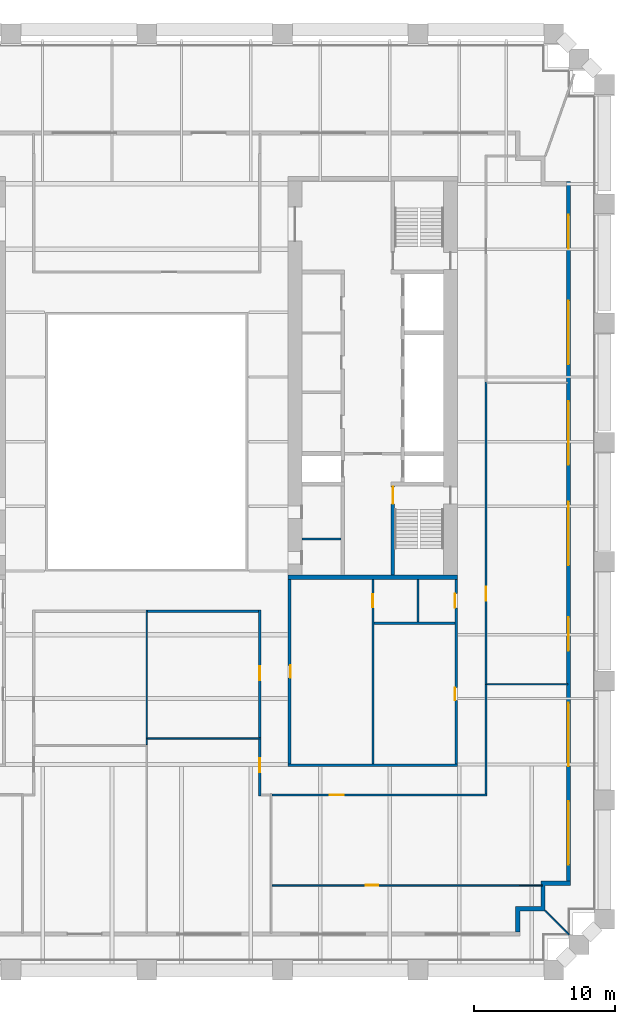
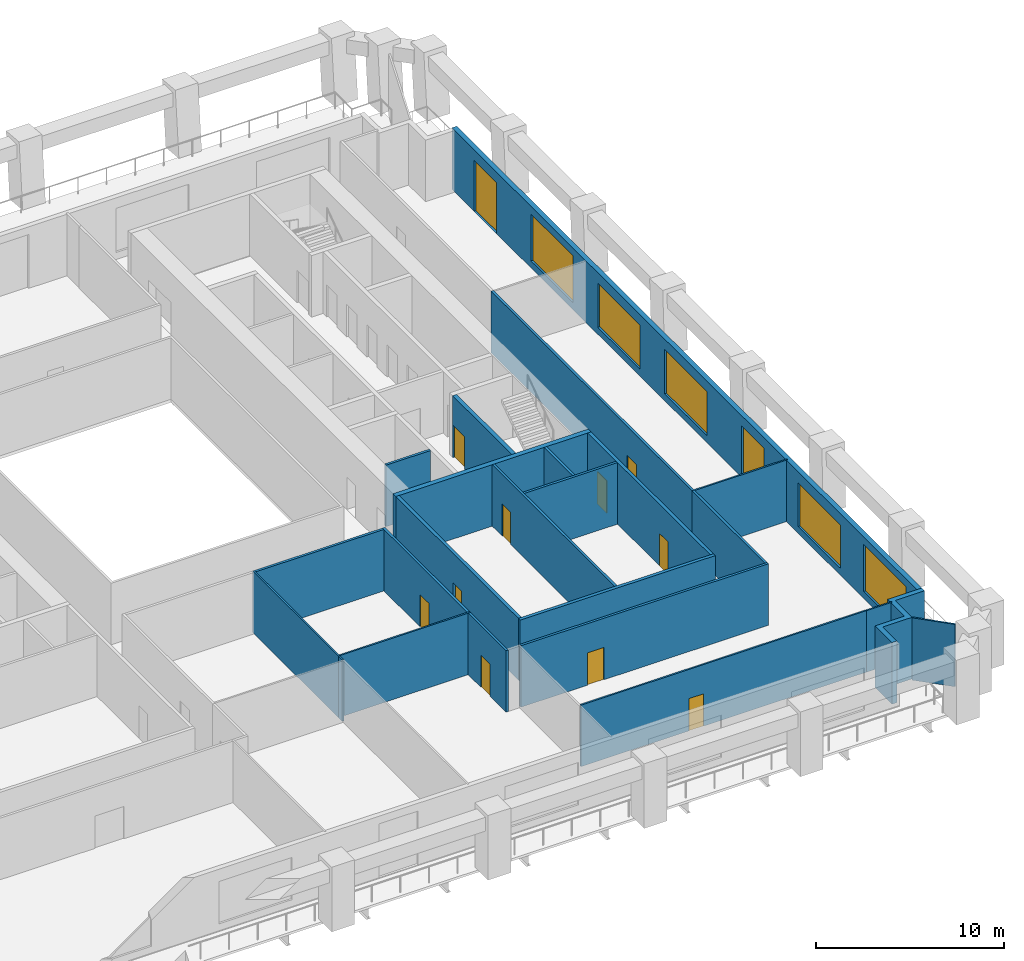
# One storey, part 4 of 8: 24 walls, 12 doors, 5 windows, 17 openings.
"""IFC4 building model written with IfcOpenShell, lengths in metres."""

from ifc_helpers import new_model, si_unit, direction, frame, frame_2d, origin, place, context, subcontext, project, spatial, polyline, rectangle, outline, extrude, material, layer, layer_set, type_object, element, fill, save


model = new_model("IFC4")

# Units and contexts
model_context = context("Model", 3, precision=1e-05, world=origin(), true_north=direction((0.0, 1.0)))
body_context = subcontext(model_context, "Body", "Model", "MODEL_VIEW")
ifc_project = project(units=[si_unit("LENGTHUNIT", "METRE"), si_unit("AREAUNIT", "SQUARE_METRE"), si_unit("VOLUMEUNIT", "CUBIC_METRE"), si_unit("PLANEANGLEUNIT", "RADIAN"), si_unit("MASSUNIT", "GRAM", prefix="KILO")], contexts=[model_context])

# Site, building, storey
site_placement = place(None, origin())
site = spatial("IfcSite", under=ifc_project, at=site_placement, CompositionType="ELEMENT")
building_placement = place(site_placement, origin())
building = spatial("IfcBuilding", under=site, at=building_placement, Name="Ogive Exchange Tower", CompositionType="ELEMENT")
storey_placement = place(building_placement, frame((0.0, 0.0, 81.60009765625)))
storey = spatial("IfcBuildingStorey", under=building, at=storey_placement, Name="L17", CompositionType="ELEMENT", Elevation=81.60009765625)

# Wall
ifc_material_1 = material(Name="Gypsum board partition")
ifc_layer_1 = layer(ifc_material_1, 0.14990234375)
ifc_layer_set_1 = layer_set([ifc_layer_1], Name="Core room partition 150 gypsum")
wall_type_1 = type_object("IfcWallType", Name="Core room partition 150 gypsum", PredefinedType="PARTITIONING", material=ifc_layer_set_1)
wall_1_placement = place(storey_placement, frame((11.0, 0.10009765625, 0.0), z_axis=(0.0, 0.0, 1.0), x_axis=(1.0, 0.0, 0.0)))
element("IfcWall", 1, at=wall_1_placement, inside=storey, type_object=wall_type_1, Name="E south room partition", PredefinedType="PARTITIONING", context=body_context, shape_type="SweptSolid", body=[
    extrude(rectangle(XDim=2.75, YDim=0.14990234375, at=frame_2d((1.375, 0.0))), origin(), (0.0, 0.0, 1.0), 4.0),
])

# Wall, opening, door
wall_2_placement = place(storey_placement, frame((16.0, -15.800048828125, 0.0), z_axis=(0.0, 0.0, 1.0), x_axis=(0.0, 1.0, 0.0)))
wall_2 = element("IfcWall", 2, at=wall_2_placement, inside=storey, type_object=wall_type_1, Name="E annex S column wall", PredefinedType="PARTITIONING", context=body_context, shape_type="SweptSolid", body=[
    extrude(rectangle(XDim=13.050048828125, YDim=0.14990234375, at=frame_2d((6.52490234375, 0.0))), origin(), (0.0, 0.0, 1.0), 4.0),
])
opening_1_placement = place(wall_2_placement, frame((11.08740234375, 0.0, 0.0)))
opening_1 = element("IfcOpeningElement", 3, at=opening_1_placement, cuts=wall_2, Name="Opening L17-C43", PredefinedType="OPENING", context=body_context, shape_type="SweptSolid", body=[
    extrude(rectangle(XDim=0.89990234375, YDim=2.10009765625, at=frame_2d((0.449951171875, 1.050048828125))), frame((0.0, 0.0849609375, 0.0), z_axis=(0.0, -1.0, 0.0), x_axis=(1.0, 0.0, 0.0)), (0.0, 0.0, 1.0), 0.169921875),
])
ifc_material_2 = material(Name="Steel fire door", Category="steel")
door_type_1 = type_object("IfcDoorType", Name="Riser door FD60 900 x 2100", OperationType="NOTDEFINED", PredefinedType="DOOR", material=ifc_material_2)
door_1_placement = place(opening_1_placement, frame((0.89990234375, 0.0, 0.0), z_axis=(0.0, 0.0, 1.0), x_axis=(-1.0, 0.0, 0.0)))
door_1 = element("IfcDoor", 4, at=door_1_placement, inside=storey, type_object=door_type_1, Name="Riser door", ObjectType="CD2", OperationType="SINGLE_SWING_LEFT", OverallHeight=2.10009765625, OverallWidth=0.89990234375, PredefinedType="DOOR", context=body_context, shape_type="SweptSolid", body=[
    extrude(rectangle(XDim=0.89990234375, YDim=2.10009765625, at=frame_2d((0.449951171875, 1.050048828125))), frame((0.0, 0.02490234375, 0.0), z_axis=(0.0, -1.0, 0.0), x_axis=(1.0, 0.0, 0.0)), (0.0, 0.0, 1.0), 0.050048828125),
])
fill(opening_1, door_1)

# Walls
wall_3_placement = place(storey_placement, frame((16.074951171875, -5.85009765625, 0.0), z_axis=(0.0, 0.0, 1.0), x_axis=(1.0, 0.0, 0.0)))
element("IfcWall", 5, at=wall_3_placement, inside=storey, type_object=wall_type_1, Name="E annex S wc strip wall 00", PredefinedType="PARTITIONING", context=body_context, shape_type="SweptSolid", body=[
    extrude(rectangle(XDim=5.72509765625, YDim=0.14990234375, at=frame_2d((2.862548828125, 0.0))), origin(), (0.0, 0.0, 1.0), 4.0),
])
wall_4_placement = place(storey_placement, frame((19.199951171875, -5.77490234375, 0.0), z_axis=(0.0, 0.0, 1.0), x_axis=(0.0, 1.0, 0.0)))
element("IfcWall", 6, at=wall_4_placement, inside=storey, type_object=wall_type_1, Name="E annex S wc partition 00", PredefinedType="PARTITIONING", context=body_context, shape_type="SweptSolid", body=[
    extrude(rectangle(XDim=3.02490234375, YDim=0.14990234375, at=frame_2d((1.512451171875, 0.0))), origin(), (0.0, 0.0, 1.0), 4.0),
])

# Wall, opening, door
ifc_material_3 = material(Name="Fire partition EI 60 150")
ifc_layer_2 = layer(ifc_material_3, 0.14990234375)
ifc_layer_set_2 = layer_set([ifc_layer_2], Name="Fire partition EI 60 150")
wall_type_2 = type_object("IfcWallType", Name="Fire partition EI 60 150", PredefinedType="PARTITIONING", material=ifc_layer_set_2)
wall_5_placement = place(storey_placement, frame((8.0, -18.074951171875, 0.0), z_axis=(0.0, 0.0, 1.0), x_axis=(0.0, 1.0, 0.0)))
wall_5 = element("IfcWall", 7, at=wall_5_placement, inside=storey, type_object=wall_type_2, Name="L17-PWL-021", PredefinedType="PARTITIONING", context=body_context, shape_type="SweptSolid", body=[
    extrude(rectangle(XDim=4.02490234375, YDim=0.14990234375, at=frame_2d((2.012451171875, 0.0))), origin(), (0.0, 0.0, 1.0), 4.0),
])
opening_2_placement = place(wall_5_placement, frame((1.675048828125, 0.0, 0.0)))
opening_2 = element("IfcOpeningElement", 8, at=opening_2_placement, cuts=wall_5, Name="Opening L17-I05", PredefinedType="OPENING", context=body_context, shape_type="SweptSolid", body=[
    extrude(rectangle(XDim=1.0, YDim=2.10009765625, at=frame_2d((0.5, 1.050048828125))), frame((0.0, 0.0849609375, 0.0), z_axis=(0.0, -1.0, 0.0), x_axis=(1.0, 0.0, 0.0)), (0.0, 0.0, 1.0), 0.169921875),
])
ifc_material_4 = material(Name="Fire door FD 30S 1000 x 2100")
door_type_2 = type_object("IfcDoorType", Name="Fire door FD 30S 1000 x 2100", OperationType="NOTDEFINED", PredefinedType="DOOR", material=ifc_material_4)
door_2_placement = place(opening_2_placement, origin())
door_2 = element("IfcDoor", 9, at=door_2_placement, inside=storey, type_object=door_type_2, Name="L17-IDR-005", ObjectType="DT3", OperationType="SINGLE_SWING_LEFT", OverallHeight=2.10009765625, OverallWidth=1.0, PredefinedType="DOOR", context=body_context, shape_type="SweptSolid", body=[
    extrude(rectangle(XDim=1.0, YDim=2.10009765625, at=frame_2d((0.5, 1.050048828125))), frame((0.0, 0.02490234375, 0.0), z_axis=(0.0, -1.0, 0.0), x_axis=(1.0, 0.0, 0.0)), (0.0, 0.0, 1.0), 0.050048828125),
])
fill(opening_2, door_2)

wall_6_placement = place(storey_placement, frame((8.0, -13.949951171875, 0.0), z_axis=(0.0, 0.0, 1.0), x_axis=(0.0, 1.0, 0.0)))
wall_6 = element("IfcWall", 10, at=wall_6_placement, inside=storey, type_object=wall_type_2, Name="L17-PWL-022", PredefinedType="PARTITIONING", context=body_context, shape_type="SweptSolid", body=[
    extrude(rectangle(XDim=9.02490234375, YDim=0.14990234375, at=frame_2d((4.512451171875, 0.0))), origin(), (0.0, 0.0, 1.0), 4.0),
])
opening_3_placement = place(wall_6_placement, frame((4.050048828125, 0.0, 0.0)))
opening_3 = element("IfcOpeningElement", 11, at=opening_3_placement, cuts=wall_6, Name="Opening L17-I06", PredefinedType="OPENING", context=body_context, shape_type="SweptSolid", body=[
    extrude(rectangle(XDim=1.0, YDim=2.10009765625, at=frame_2d((0.5, 1.050048828125))), frame((0.0, 0.0849609375, 0.0), z_axis=(0.0, -1.0, 0.0), x_axis=(1.0, 0.0, 0.0)), (0.0, 0.0, 1.0), 0.169921875),
])
door_3_placement = place(opening_3_placement, origin())
door_3 = element("IfcDoor", 12, at=door_3_placement, inside=storey, type_object=door_type_2, Name="L17-IDR-006", ObjectType="DT3", OperationType="SINGLE_SWING_LEFT", OverallHeight=2.10009765625, OverallWidth=1.0, PredefinedType="DOOR", context=body_context, shape_type="SweptSolid", body=[
    extrude(rectangle(XDim=1.0, YDim=2.10009765625, at=frame_2d((0.5, 1.050048828125))), frame((0.0, 0.02490234375, 0.0), z_axis=(0.0, -1.0, 0.0), x_axis=(1.0, 0.0, 0.0)), (0.0, 0.0, 1.0), 0.050048828125),
])
fill(opening_3, door_3)

# Wall
wall_7_placement = place(storey_placement, frame((7.925048828125, -5.0, 0.0), z_axis=(0.0, 0.0, 1.0), x_axis=(-1.0, 0.0, 0.0)))
element("IfcWall", 13, at=wall_7_placement, inside=storey, type_object=wall_type_2, Name="L17-PWL-023", PredefinedType="PARTITIONING", context=body_context, shape_type="SweptSolid", body=[
    extrude(rectangle(XDim=7.875, YDim=0.14990234375, at=frame_2d((3.9375, 0.0))), origin(), (0.0, 0.0, 1.0), 4.0),
])

# Wall, opening, door
wall_8_placement = place(storey_placement, frame((24.074951171875, -18.0, 0.0), z_axis=(0.0, 0.0, 1.0), x_axis=(-1.0, 0.0, 0.0)))
wall_8 = element("IfcWall", 14, at=wall_8_placement, inside=storey, type_object=wall_type_2, Name="L17-PWL-030", PredefinedType="PARTITIONING", context=body_context, shape_type="SweptSolid", body=[
    extrude(rectangle(XDim=15.224853515625, YDim=0.14990234375, at=frame_2d((7.6123046875, 0.0))), origin(), (0.0, 0.0, 1.0), 4.0),
])
opening_4_placement = place(wall_8_placement, frame((10.125, 0.0, 0.0)))
opening_4 = element("IfcOpeningElement", 15, at=opening_4_placement, cuts=wall_8, Name="Opening L17-I02", PredefinedType="OPENING", context=body_context, shape_type="SweptSolid", body=[
    extrude(rectangle(XDim=1.0, YDim=2.10009765625, at=frame_2d((0.5, 1.050048828125))), frame((0.0, 0.0849609375, 0.0), z_axis=(0.0, -1.0, 0.0), x_axis=(1.0, 0.0, 0.0)), (0.0, 0.0, 1.0), 0.169921875),
])
door_4_placement = place(opening_4_placement, origin())
door_4 = element("IfcDoor", 16, at=door_4_placement, inside=storey, type_object=door_type_2, Name="L17-IDR-002", ObjectType="DT3", OperationType="SINGLE_SWING_RIGHT", OverallHeight=2.10009765625, OverallWidth=1.0, PredefinedType="DOOR", context=body_context, shape_type="SweptSolid", body=[
    extrude(rectangle(XDim=1.0, YDim=2.10009765625, at=frame_2d((0.5, 1.050048828125))), frame((0.0, 0.02490234375, 0.0), z_axis=(0.0, -1.0, 0.0), x_axis=(1.0, 0.0, 0.0)), (0.0, 0.0, 1.0), 0.050048828125),
])
fill(opening_4, door_4)

# Wall
wall_9_placement = place(storey_placement, frame((24.0, -10.169921875, 0.0), z_axis=(0.0, 0.0, 1.0), x_axis=(0.0, -1.0, 0.0)))
element("IfcWall", 17, at=wall_9_placement, inside=storey, type_object=wall_type_2, Name="L17-PWL-031", PredefinedType="PARTITIONING", context=body_context, shape_type="SweptSolid", body=[
    extrude(rectangle(XDim=7.755126953125, YDim=0.14990234375, at=frame_2d((3.87744140625, 0.0))), origin(), (0.0, 0.0, 1.0), 4.0),
])

# Wall, opening, door
wall_10_placement = place(storey_placement, frame((24.0, 11.219970703125, 0.0), z_axis=(0.0, 0.0, 1.0), x_axis=(0.0, -1.0, 0.0)))
wall_10 = element("IfcWall", 18, at=wall_10_placement, inside=storey, type_object=wall_type_2, Name="L17-PWL-033", PredefinedType="PARTITIONING", context=body_context, shape_type="SweptSolid", body=[
    extrude(rectangle(XDim=21.389892578125, YDim=0.14990234375, at=frame_2d((10.69482421875, 0.0))), origin(), (0.0, 0.0, 1.0), 4.0),
])
opening_5_placement = place(wall_10_placement, frame((14.489990234375, 0.0, 0.0)))
opening_5 = element("IfcOpeningElement", 19, at=opening_5_placement, cuts=wall_10, Name="Opening L17-I03", PredefinedType="OPENING", context=body_context, shape_type="SweptSolid", body=[
    extrude(rectangle(XDim=1.0, YDim=2.10009765625, at=frame_2d((0.5, 1.050048828125))), frame((0.0, 0.0849609375, 0.0), z_axis=(0.0, -1.0, 0.0), x_axis=(1.0, 0.0, 0.0)), (0.0, 0.0, 1.0), 0.169921875),
])
door_5_placement = place(opening_5_placement, origin())
door_5 = element("IfcDoor", 20, at=door_5_placement, inside=storey, type_object=door_type_2, Name="L17-IDR-003", ObjectType="DT3", OperationType="SINGLE_SWING_RIGHT", OverallHeight=2.10009765625, OverallWidth=1.0, PredefinedType="DOOR", context=body_context, shape_type="SweptSolid", body=[
    extrude(rectangle(XDim=1.0, YDim=2.10009765625, at=frame_2d((0.5, 1.050048828125))), frame((0.0, 0.02490234375, 0.0), z_axis=(0.0, -1.0, 0.0), x_axis=(1.0, 0.0, 0.0)), (0.0, 0.0, 1.0), 0.050048828125),
])
fill(opening_5, door_5)

# Wall, openings, doors, windows
ifc_material_5 = material(Name="Precast concrete C40/50", Category="concrete")
ifc_layer_3 = layer(ifc_material_5, 0.300048828125)
ifc_layer_set_3 = layer_set([ifc_layer_3], Name="Limestone-faced wall 300")
wall_type_3 = type_object("IfcWallType", Name="Limestone-faced wall 300", PredefinedType="STANDARD", material=ifc_layer_set_3)
wall_11_placement = place(storey_placement, frame((29.85009765625, -24.10009765625, 0.0), z_axis=(0.0, 0.0, 1.0), x_axis=(0.0, 1.0, 0.0)))
wall_11 = element("IfcWall", 21, at=wall_11_placement, inside=storey, type_object=wall_type_3, Name="External wall E2", PredefinedType="STANDARD", context=body_context, shape_type="SweptSolid", body=[
    extrude(rectangle(XDim=49.5, YDim=0.300048828125, at=frame_2d((24.75, 0.0))), origin(), (0.0, 0.0, 1.0), 4.0),
])
opening_6_placement = place(wall_11_placement, frame((1.156982421875, 0.0, 0.449951171875)))
opening_6 = element("IfcOpeningElement", 22, at=opening_6_placement, cuts=wall_11, Name="Opening W1", PredefinedType="OPENING", context=body_context, shape_type="SweptSolid", body=[
    extrude(rectangle(XDim=4.5, YDim=3.050048828125, at=frame_2d((2.25, 1.52490234375))), frame((0.0, 0.159912109375, 0.0), z_axis=(0.0, -1.0, 0.0), x_axis=(1.0, 0.0, 0.0)), (0.0, 0.0, 1.0), 0.320068359375),
])
opening_7_placement = place(wall_11_placement, frame((8.121337890625, 0.0, 0.449951171875)))
opening_7 = element("IfcOpeningElement", 23, at=opening_7_placement, cuts=wall_11, Name="Opening W1E", PredefinedType="OPENING", context=body_context, shape_type="SweptSolid", body=[
    extrude(rectangle(XDim=4.5, YDim=2.824951171875, at=frame_2d((2.25, 1.41259765625))), frame((0.0, 0.159912109375, 0.0), z_axis=(0.0, -1.0, 0.0), x_axis=(1.0, 0.0, 0.0)), (0.0, 0.0, 1.0), 0.320068359375),
])
opening_8_placement = place(wall_11_placement, frame((16.28564453125, 0.0, 0.0)))
opening_8 = element("IfcOpeningElement", 24, at=opening_8_placement, cuts=wall_11, Name="Opening D1C", PredefinedType="OPENING", context=body_context, shape_type="SweptSolid", body=[
    extrude(rectangle(XDim=2.39990234375, YDim=3.324951171875, at=frame_2d((1.199951171875, 1.66259765625))), frame((0.0, 0.159912109375, 0.0), z_axis=(0.0, -1.0, 0.0), x_axis=(1.0, 0.0, 0.0)), (0.0, 0.0, 1.0), 0.320068359375),
])
opening_9_placement = place(wall_11_placement, frame((22.35009765625, 0.0, 0.449951171875)))
opening_9 = element("IfcOpeningElement", 25, at=opening_9_placement, cuts=wall_11, Name="Opening W1D", PredefinedType="OPENING", context=body_context, shape_type="SweptSolid", body=[
    extrude(rectangle(XDim=4.5, YDim=2.875, at=frame_2d((2.25, 1.4375))), frame((0.0, 0.159912109375, 0.0), z_axis=(0.0, -1.0, 0.0), x_axis=(1.0, 0.0, 0.0)), (0.0, 0.0, 1.0), 0.320068359375),
])
opening_10_placement = place(wall_11_placement, frame((29.464111328125, 0.0, 0.449951171875)))
opening_10 = element("IfcOpeningElement", 26, at=opening_10_placement, cuts=wall_11, Name="Opening W1D", PredefinedType="OPENING", context=body_context, shape_type="SweptSolid", body=[
    extrude(rectangle(XDim=4.5, YDim=2.875, at=frame_2d((2.25, 1.4375))), frame((0.0, 0.159912109375, 0.0), z_axis=(0.0, -1.0, 0.0), x_axis=(1.0, 0.0, 0.0)), (0.0, 0.0, 1.0), 0.320068359375),
])
opening_11_placement = place(wall_11_placement, frame((36.57861328125, 0.0, 0.449951171875)))
opening_11 = element("IfcOpeningElement", 27, at=opening_11_placement, cuts=wall_11, Name="Opening W1", PredefinedType="OPENING", context=body_context, shape_type="SweptSolid", body=[
    extrude(rectangle(XDim=4.5, YDim=3.050048828125, at=frame_2d((2.25, 1.52490234375))), frame((0.0, 0.159912109375, 0.0), z_axis=(0.0, -1.0, 0.0), x_axis=(1.0, 0.0, 0.0)), (0.0, 0.0, 1.0), 0.320068359375),
])
opening_12_placement = place(wall_11_placement, frame((44.742919921875, 0.0, 0.0)))
opening_12 = element("IfcOpeningElement", 28, at=opening_12_placement, cuts=wall_11, Name="Opening D1C", PredefinedType="OPENING", context=body_context, shape_type="SweptSolid", body=[
    extrude(rectangle(XDim=2.39990234375, YDim=3.324951171875, at=frame_2d((1.199951171875, 1.66259765625))), frame((0.0, 0.159912109375, 0.0), z_axis=(0.0, -1.0, 0.0), x_axis=(1.0, 0.0, 0.0)), (0.0, 0.0, 1.0), 0.320068359375),
])
ifc_material_6 = material(Name="Clear glass in bronze frame", Category="glass")
door_type_3 = type_object("IfcDoorType", Name="Sliding loggia door 2400 x 3325", OperationType="DOUBLE_DOOR_SLIDING", PredefinedType="DOOR", material=ifc_material_6)
door_6_placement = place(opening_8_placement, origin())
door_6 = element("IfcDoor", 29, at=door_6_placement, inside=storey, type_object=door_type_3, Name="Loggia door E02", OperationType="DOUBLE_DOOR_SLIDING", OverallHeight=3.324951171875, OverallWidth=2.39990234375, PredefinedType="DOOR", context=body_context, shape_type="SweptSolid", body=[
    extrude(rectangle(XDim=2.39990234375, YDim=3.324951171875, at=frame_2d((1.199951171875, 1.66259765625))), frame((0.0, 0.02490234375, 0.0), z_axis=(0.0, -1.0, 0.0), x_axis=(1.0, 0.0, 0.0)), (0.0, 0.0, 1.0), 0.050048828125),
])
fill(opening_8, door_6)
door_7_placement = place(opening_12_placement, origin())
door_7 = element("IfcDoor", 30, at=door_7_placement, inside=storey, type_object=door_type_3, Name="Loggia door E06", OperationType="DOUBLE_DOOR_SLIDING", OverallHeight=3.324951171875, OverallWidth=2.39990234375, PredefinedType="DOOR", context=body_context, shape_type="SweptSolid", body=[
    extrude(rectangle(XDim=2.39990234375, YDim=3.324951171875, at=frame_2d((1.199951171875, 1.66259765625))), frame((0.0, 0.02490234375, 0.0), z_axis=(0.0, -1.0, 0.0), x_axis=(1.0, 0.0, 0.0)), (0.0, 0.0, 1.0), 0.050048828125),
])
fill(opening_12, door_7)
window_type_1 = type_object("IfcWindowType", Name="Twin lancet window 4500 x 2825", PartitioningType="DOUBLE_PANEL_VERTICAL", PredefinedType="WINDOW", material=ifc_material_6)
window_1_placement = place(opening_7_placement, origin())
window_1 = element("IfcWindow", 31, at=window_1_placement, inside=storey, type_object=window_type_1, Name="Window E01", OverallHeight=2.824951171875, OverallWidth=4.5, PartitioningType="DOUBLE_PANEL_VERTICAL", PredefinedType="WINDOW", context=body_context, shape_type="SweptSolid", body=[
    extrude(rectangle(XDim=4.5, YDim=2.824951171875, at=frame_2d((2.25, 1.41259765625))), frame((0.0, 0.030029296875, 0.0), z_axis=(0.0, -1.0, 0.0), x_axis=(1.0, 0.0, 0.0)), (0.0, 0.0, 1.0), 0.06005859375),
])
fill(opening_7, window_1)
window_type_2 = type_object("IfcWindowType", Name="Twin lancet window 4500 x 2875", PartitioningType="DOUBLE_PANEL_VERTICAL", PredefinedType="WINDOW", material=ifc_material_6)
window_2_placement = place(opening_9_placement, origin())
window_2 = element("IfcWindow", 32, at=window_2_placement, inside=storey, type_object=window_type_2, Name="Window E03", OverallHeight=2.875, OverallWidth=4.5, PartitioningType="DOUBLE_PANEL_VERTICAL", PredefinedType="WINDOW", context=body_context, shape_type="SweptSolid", body=[
    extrude(rectangle(XDim=4.5, YDim=2.875, at=frame_2d((2.25, 1.4375))), frame((0.0, 0.030029296875, 0.0), z_axis=(0.0, -1.0, 0.0), x_axis=(1.0, 0.0, 0.0)), (0.0, 0.0, 1.0), 0.06005859375),
])
fill(opening_9, window_2)
window_3_placement = place(opening_10_placement, origin())
window_3 = element("IfcWindow", 33, at=window_3_placement, inside=storey, type_object=window_type_2, Name="Window E04", OverallHeight=2.875, OverallWidth=4.5, PartitioningType="DOUBLE_PANEL_VERTICAL", PredefinedType="WINDOW", context=body_context, shape_type="SweptSolid", body=[
    extrude(rectangle(XDim=4.5, YDim=2.875, at=frame_2d((2.25, 1.4375))), frame((0.0, 0.030029296875, 0.0), z_axis=(0.0, -1.0, 0.0), x_axis=(1.0, 0.0, 0.0)), (0.0, 0.0, 1.0), 0.06005859375),
])
fill(opening_10, window_3)
window_type_3 = type_object("IfcWindowType", Name="Twin lancet window 4500 x 3050", PartitioningType="DOUBLE_PANEL_VERTICAL", PredefinedType="WINDOW", material=ifc_material_6)
window_4_placement = place(opening_6_placement, origin())
window_4 = element("IfcWindow", 34, at=window_4_placement, inside=storey, type_object=window_type_3, Name="Window E00", OverallHeight=3.050048828125, OverallWidth=4.5, PartitioningType="DOUBLE_PANEL_VERTICAL", PredefinedType="WINDOW", context=body_context, shape_type="SweptSolid", body=[
    extrude(rectangle(XDim=4.5, YDim=3.050048828125, at=frame_2d((2.25, 1.52490234375))), frame((0.0, 0.030029296875, 0.0), z_axis=(0.0, -1.0, 0.0), x_axis=(1.0, 0.0, 0.0)), (0.0, 0.0, 1.0), 0.06005859375),
])
fill(opening_6, window_4)
window_5_placement = place(opening_11_placement, origin())
window_5 = element("IfcWindow", 35, at=window_5_placement, inside=storey, type_object=window_type_3, Name="Window E05", OverallHeight=3.050048828125, OverallWidth=4.5, PartitioningType="DOUBLE_PANEL_VERTICAL", PredefinedType="WINDOW", context=body_context, shape_type="SweptSolid", body=[
    extrude(rectangle(XDim=4.5, YDim=3.050048828125, at=frame_2d((2.25, 1.52490234375))), frame((0.0, 0.030029296875, 0.0), z_axis=(0.0, -1.0, 0.0), x_axis=(1.0, 0.0, 0.0)), (0.0, 0.0, 1.0), 0.06005859375),
])
fill(opening_11, window_5)

# Walls
wall_12_placement = place(storey_placement, origin())
element("IfcWall", 36, at=wall_12_placement, inside=storey, type_object=wall_type_3, Name="External corner wall C1", PredefinedType="STANDARD", context=body_context, shape_type="SweptSolid", body=[
    extrude(outline(polyline([(27.89990234375, -25.89990234375), (27.89990234375, -24.10009765625), (30.0, -24.10009765625), (30.0, -24.39990234375), (28.199951171875, -24.39990234375), (28.199951171875, -26.199951171875), (26.39990234375, -26.199951171875), (26.39990234375, -27.699951171875), (26.10009765625, -27.699951171875), (26.10009765625, -25.89990234375), (27.89990234375, -25.89990234375)])), origin(), (0.0, 0.0, 1.0), 4.0),
])
ifc_material_7 = material(Name="Laminated safety glass in steel frame", Category="steel")
ifc_layer_4 = layer(ifc_material_7, 0.10009765625)
ifc_layer_set_4 = layer_set([ifc_layer_4], Name="Loggia end screen 100")
wall_type_4 = type_object("IfcWallType", Name="Loggia end screen 100", PredefinedType="STANDARD", material=ifc_layer_set_4)
wall_13_placement = place(storey_placement, frame((28.199951171875, -26.199951171875, -0.050048828125), z_axis=(0.0, 0.0, 1.0), x_axis=(0.707106781187, -0.707106781187, 0.0)))
element("IfcWall", 37, at=wall_13_placement, inside=storey, type_object=wall_type_4, Name="Loggia end screen C1", PredefinedType="STANDARD", context=body_context, shape_type="SweptSolid", body=[
    extrude(rectangle(XDim=2.384521484375, YDim=0.10009765625, at=frame_2d((1.1923828125, 0.0))), origin(), (0.0, 0.0, 1.0), 4.050048828125),
])
ifc_material_8 = material(Name="Partition 100 gypsum")
ifc_layer_5 = layer(ifc_material_8, 0.10009765625)
ifc_layer_set_5 = layer_set([ifc_layer_5], Name="Partition 100 gypsum")
wall_type_5 = type_object("IfcWallType", Name="Partition 100 gypsum", PredefinedType="PARTITIONING", material=ifc_layer_set_5)
wall_14_placement = place(storey_placement, frame((0.0, -14.449951171875, 0.0), z_axis=(0.0, 0.0, 1.0), x_axis=(0.0, 1.0, 0.0)))
element("IfcWall", 38, at=wall_14_placement, inside=storey, type_object=wall_type_5, Name="L17-PWL-017", PredefinedType="PARTITIONING", context=body_context, shape_type="SweptSolid", body=[
    extrude(rectangle(XDim=0.39990234375, YDim=0.10009765625, at=frame_2d((0.199951171875, 0.0))), origin(), (0.0, 0.0, 1.0), 4.0),
])
wall_15_placement = place(storey_placement, frame((0.0, -14.050048828125, 0.0), z_axis=(0.0, 0.0, 1.0), x_axis=(0.0, 1.0, 0.0)))
element("IfcWall", 39, at=wall_15_placement, inside=storey, type_object=wall_type_5, Name="L17-PWL-018", PredefinedType="PARTITIONING", context=body_context, shape_type="SweptSolid", body=[
    extrude(rectangle(XDim=9.125, YDim=0.10009765625, at=frame_2d((4.5625, 0.0))), origin(), (0.0, 0.0, 1.0), 4.0),
])
wall_16_placement = place(storey_placement, frame((0.050048828125, -14.0, 0.0), z_axis=(0.0, 0.0, 1.0), x_axis=(1.0, 0.0, 0.0)))
element("IfcWall", 40, at=wall_16_placement, inside=storey, type_object=wall_type_5, Name="L17-PWL-019", PredefinedType="PARTITIONING", context=body_context, shape_type="SweptSolid", body=[
    extrude(rectangle(XDim=8.02490234375, YDim=0.10009765625, at=frame_2d((4.012451171875, 0.0))), origin(), (0.0, 0.0, 1.0), 4.0),
])

# Wall, opening, door
wall_17_placement = place(storey_placement, frame((8.85009765625, -24.39990234375, 0.0), z_axis=(0.0, 0.0, 1.0), x_axis=(1.0, 0.0, 0.0)))
wall_17 = element("IfcWall", 41, at=wall_17_placement, inside=storey, type_object=wall_type_5, Name="L17-PWL-028", PredefinedType="PARTITIONING", context=body_context, shape_type="SweptSolid", body=[
    extrude(rectangle(XDim=17.559814453125, YDim=0.10009765625, at=frame_2d((8.77978515625, 0.0))), origin(), (0.0, 0.0, 1.0), 4.0),
])
opening_13_placement = place(wall_17_placement, frame((6.64990234375, 0.0, 0.0)))
opening_13 = element("IfcOpeningElement", 42, at=opening_13_placement, cuts=wall_17, Name="Opening L17-I01", PredefinedType="OPENING", context=body_context, shape_type="SweptSolid", body=[
    extrude(rectangle(XDim=0.89990234375, YDim=2.10009765625, at=frame_2d((0.449951171875, 1.050048828125))), frame((0.0, 0.06005859375, 0.0), z_axis=(0.0, -1.0, 0.0), x_axis=(1.0, 0.0, 0.0)), (0.0, 0.0, 1.0), 0.1201171875),
])
ifc_material_9 = material(Name="Door 900 x 2100")
door_type_4 = type_object("IfcDoorType", Name="Door 900 x 2100", OperationType="NOTDEFINED", PredefinedType="DOOR", material=ifc_material_9)
door_8_placement = place(opening_13_placement, frame((0.89990234375, 0.0, 0.0), z_axis=(0.0, 0.0, 1.0), x_axis=(-1.0, 0.0, 0.0)))
door_8 = element("IfcDoor", 43, at=door_8_placement, inside=storey, type_object=door_type_4, Name="L17-IDR-001", ObjectType="DT1", OperationType="SINGLE_SWING_LEFT", OverallHeight=2.10009765625, OverallWidth=0.89990234375, PredefinedType="DOOR", context=body_context, shape_type="SweptSolid", body=[
    extrude(rectangle(XDim=0.89990234375, YDim=2.10009765625, at=frame_2d((0.449951171875, 1.050048828125))), frame((0.0, 0.02490234375, 0.0), z_axis=(0.0, -1.0, 0.0), x_axis=(1.0, 0.0, 0.0)), (0.0, 0.0, 1.0), 0.050048828125),
])
fill(opening_13, door_8)

# Walls
wall_18_placement = place(storey_placement, frame((24.074951171875, -10.169921875, 0.0), z_axis=(0.0, 0.0, 1.0), x_axis=(1.0, 0.0, 0.0)))
element("IfcWall", 44, at=wall_18_placement, inside=storey, type_object=wall_type_5, Name="L17-PWL-032", PredefinedType="PARTITIONING", context=body_context, shape_type="SweptSolid", body=[
    extrude(rectangle(XDim=5.72509765625, YDim=0.10009765625, at=frame_2d((2.862548828125, 0.0))), origin(), (0.0, 0.0, 1.0), 4.0),
])
wall_19_placement = place(storey_placement, frame((26.409912109375, -24.409912109375, 0.0), z_axis=(0.0, 0.0, 1.0), x_axis=(1.0, 0.0, 0.0)))
element("IfcWall", 45, at=wall_19_placement, inside=storey, type_object=wall_type_5, Name="L17-PWL-037", PredefinedType="PARTITIONING", context=body_context, shape_type="SweptSolid", body=[
    extrude(rectangle(XDim=1.590087890625, YDim=0.10009765625, at=frame_2d((0.794921875, 0.0))), origin(), (0.0, 0.0, 1.0), 4.0),
])

# Wall, openings, doors
ifc_material_10 = material(Name="Concrete C70/85", Category="concrete")
ifc_layer_6 = layer(ifc_material_10, 0.199951171875)
ifc_layer_set_6 = layer_set([ifc_layer_6], Name="RC core wall 200 C70/85")
wall_type_6 = type_object("IfcWallType", Name="RC core wall 200 C70/85", PredefinedType="SHEAR", material=ifc_layer_set_6)
wall_20_placement = place(storey_placement, frame((21.89990234375, -15.800048828125, 0.0), z_axis=(0.0, 0.0, 1.0), x_axis=(0.0, 1.0, 0.0)))
wall_20 = element("IfcWall", 46, at=wall_20_placement, inside=storey, type_object=wall_type_6, Name="E annex S outer wall", PredefinedType="SHEAR", context=body_context, shape_type="SweptSolid", body=[
    extrude(rectangle(XDim=13.050048828125, YDim=0.199951171875, at=frame_2d((6.52490234375, 0.0))), origin(), (0.0, 0.0, 1.0), 4.0),
])
opening_14_placement = place(wall_20_placement, frame((4.487548828125, 0.0, 0.0)))
opening_14 = element("IfcOpeningElement", 47, at=opening_14_placement, cuts=wall_20, Name="Opening L17-C41", PredefinedType="OPENING", context=body_context, shape_type="SweptSolid", body=[
    extrude(rectangle(XDim=0.89990234375, YDim=2.10009765625, at=frame_2d((0.449951171875, 1.050048828125))), frame((0.0, 0.10986328125, 0.0), z_axis=(0.0, -1.0, 0.0), x_axis=(1.0, 0.0, 0.0)), (0.0, 0.0, 1.0), 0.219970703125),
])
opening_15_placement = place(wall_20_placement, frame((11.03759765625, 0.0, 0.0)))
opening_15 = element("IfcOpeningElement", 48, at=opening_15_placement, cuts=wall_20, Name="Opening L17-C42", PredefinedType="OPENING", context=body_context, shape_type="SweptSolid", body=[
    extrude(rectangle(XDim=1.0, YDim=2.10009765625, at=frame_2d((0.5, 1.050048828125))), frame((0.0, 0.10986328125, 0.0), z_axis=(0.0, -1.0, 0.0), x_axis=(1.0, 0.0, 0.0)), (0.0, 0.0, 1.0), 0.219970703125),
])
ifc_material_11 = material(Name="Timber fire door", Category="wood")
door_type_5 = type_object("IfcDoorType", Name="Accessible WC door FD30S 1000 x 2100", OperationType="NOTDEFINED", PredefinedType="DOOR", material=ifc_material_11)
door_9_placement = place(opening_15_placement, origin())
door_9 = element("IfcDoor", 49, at=door_9_placement, inside=storey, type_object=door_type_5, Name="Accessible WC door", ObjectType="CD7", OperationType="SINGLE_SWING_RIGHT", OverallHeight=2.10009765625, OverallWidth=1.0, PredefinedType="DOOR", context=body_context, shape_type="SweptSolid", body=[
    extrude(rectangle(XDim=1.0, YDim=2.10009765625, at=frame_2d((0.5, 1.050048828125))), frame((0.0, 0.10009765625, 0.0), z_axis=(0.0, -1.0, 0.0), x_axis=(1.0, 0.0, 0.0)), (0.0, 0.0, 1.0), 0.050048828125),
])
fill(opening_15, door_9)
door_10_placement = place(opening_14_placement, origin())
door_10 = element("IfcDoor", 50, at=door_10_placement, inside=storey, type_object=door_type_1, Name="Riser door", ObjectType="CD2", OperationType="SINGLE_SWING_RIGHT", OverallHeight=2.10009765625, OverallWidth=0.89990234375, PredefinedType="DOOR", context=body_context, shape_type="SweptSolid", body=[
    extrude(rectangle(XDim=0.89990234375, YDim=2.10009765625, at=frame_2d((0.449951171875, 1.050048828125))), frame((0.0, 0.10009765625, 0.0), z_axis=(0.0, -1.0, 0.0), x_axis=(1.0, 0.0, 0.0)), (0.0, 0.0, 1.0), 0.050048828125),
])
fill(opening_14, door_10)

# Wall, opening, door
wall_21_placement = place(storey_placement, frame((10.10009765625, -15.800048828125, 0.0), z_axis=(0.0, 0.0, 1.0), x_axis=(0.0, 1.0, 0.0)))
wall_21 = element("IfcWall", 51, at=wall_21_placement, inside=storey, type_object=wall_type_6, Name="E annex S inner wall", PredefinedType="SHEAR", context=body_context, shape_type="SweptSolid", body=[
    extrude(rectangle(XDim=13.050048828125, YDim=0.199951171875, at=frame_2d((6.52490234375, 0.0))), origin(), (0.0, 0.0, 1.0), 4.0),
])
opening_16_placement = place(wall_21_placement, frame((6.074951171875, 0.0, 0.0)))
opening_16 = element("IfcOpeningElement", 52, at=opening_16_placement, cuts=wall_21, Name="Opening L17-C44", PredefinedType="OPENING", context=body_context, shape_type="SweptSolid", body=[
    extrude(rectangle(XDim=0.89990234375, YDim=2.10009765625, at=frame_2d((0.449951171875, 1.050048828125))), frame((0.0, 0.10986328125, 0.0), z_axis=(0.0, -1.0, 0.0), x_axis=(1.0, 0.0, 0.0)), (0.0, 0.0, 1.0), 0.219970703125),
])
door_11_placement = place(opening_16_placement, frame((0.89990234375, -0.14990234375, 0.0), z_axis=(0.0, 0.0, 1.0), x_axis=(-1.0, 0.0, 0.0)))
door_11 = element("IfcDoor", 53, at=door_11_placement, inside=storey, type_object=door_type_1, Name="Riser door", ObjectType="CD2", OperationType="SINGLE_SWING_RIGHT", OverallHeight=2.10009765625, OverallWidth=0.89990234375, PredefinedType="DOOR", context=body_context, shape_type="SweptSolid", body=[
    extrude(rectangle(XDim=0.89990234375, YDim=2.10009765625, at=frame_2d((0.449951171875, 1.050048828125))), frame((0.0, -0.0498046875, 0.0), z_axis=(0.0, -1.0, 0.0), x_axis=(1.0, 0.0, 0.0)), (0.0, 0.0, 1.0), 0.050048828125),
])
fill(opening_16, door_11)

# Wall
wall_22_placement = place(storey_placement, frame((10.0, -15.89990234375, 0.0), z_axis=(0.0, 0.0, 1.0), x_axis=(1.0, 0.0, 0.0)))
element("IfcWall", 54, at=wall_22_placement, inside=storey, type_object=wall_type_6, Name="E annex S end wall", PredefinedType="SHEAR", context=body_context, shape_type="SweptSolid", body=[
    extrude(rectangle(XDim=12.0, YDim=0.199951171875, at=frame_2d((6.0, 0.0))), origin(), (0.0, 0.0, 1.0), 4.0),
])

# Wall, opening, door
ifc_layer_7 = layer(ifc_material_10, 0.25)
ifc_layer_set_7 = layer_set([ifc_layer_7], Name="RC core wall 250 C70/85")
wall_type_7 = type_object("IfcWallType", Name="RC core wall 250 C70/85", PredefinedType="SHEAR", material=ifc_layer_set_7)
wall_23_placement = place(storey_placement, frame((17.425048828125, -2.449951171875, 0.0), z_axis=(0.0, 0.0, 1.0), x_axis=(0.0, 1.0, 0.0)))
wall_23 = element("IfcWall", 55, at=wall_23_placement, inside=storey, type_object=wall_type_7, Name="E stair S front wall", PredefinedType="SHEAR", context=body_context, shape_type="SweptSolid", body=[
    extrude(rectangle(XDim=6.300048828125, YDim=0.25, at=frame_2d((3.14990234375, 0.0))), origin(), (0.0, 0.0, 1.0), 4.0),
])
opening_17_placement = place(wall_23_placement, frame((5.050048828125, 0.0, 0.0)))
opening_17 = element("IfcOpeningElement", 56, at=opening_17_placement, cuts=wall_23, Name="Opening L17-C35", PredefinedType="OPENING", context=body_context, shape_type="SweptSolid", body=[
    extrude(rectangle(XDim=1.199951171875, YDim=2.10009765625, at=frame_2d((0.60009765625, 1.050048828125))), frame((0.0, 0.135009765625, 0.0), z_axis=(0.0, -1.0, 0.0), x_axis=(1.0, 0.0, 0.0)), (0.0, 0.0, 1.0), 0.27001953125),
])
door_type_6 = type_object("IfcDoorType", Name="Stair door FD90 1200 x 2100", OperationType="NOTDEFINED", PredefinedType="DOOR", material=ifc_material_2)
door_12_placement = place(opening_17_placement, frame((1.199951171875, 0.0, 0.0), z_axis=(0.0, 0.0, 1.0), x_axis=(-1.0, 0.0, 0.0)))
door_12 = element("IfcDoor", 57, at=door_12_placement, inside=storey, type_object=door_type_6, Name="Stair door", ObjectType="CD5", OperationType="SINGLE_SWING_RIGHT", OverallHeight=2.10009765625, OverallWidth=1.199951171875, PredefinedType="DOOR", context=body_context, shape_type="SweptSolid", body=[
    extrude(rectangle(XDim=1.199951171875, YDim=2.10009765625, at=frame_2d((0.60009765625, 1.050048828125))), frame((0.0, 0.02490234375, 0.0), z_axis=(0.0, -1.0, 0.0), x_axis=(1.0, 0.0, 0.0)), (0.0, 0.0, 1.0), 0.050048828125),
])
fill(opening_17, door_12)

# Wall
ifc_layer_8 = layer(ifc_material_10, 0.300048828125)
ifc_layer_set_8 = layer_set([ifc_layer_8], Name="RC core wall 300 C70/85")
wall_type_8 = type_object("IfcWallType", Name="RC core wall 300 C70/85", PredefinedType="SHEAR", material=ifc_layer_set_8)
wall_24_placement = place(storey_placement, frame((10.0, -2.60009765625, 0.0), z_axis=(0.0, 0.0, 1.0), x_axis=(1.0, 0.0, 0.0)))
element("IfcWall", 58, at=wall_24_placement, inside=storey, type_object=wall_type_8, Name="E south end wall", PredefinedType="SHEAR", context=body_context, shape_type="SweptSolid", body=[
    extrude(rectangle(XDim=12.0, YDim=0.300048828125, at=frame_2d((6.0, 0.0))), origin(), (0.0, 0.0, 1.0), 4.0),
])

save(model, "model.ifc")
